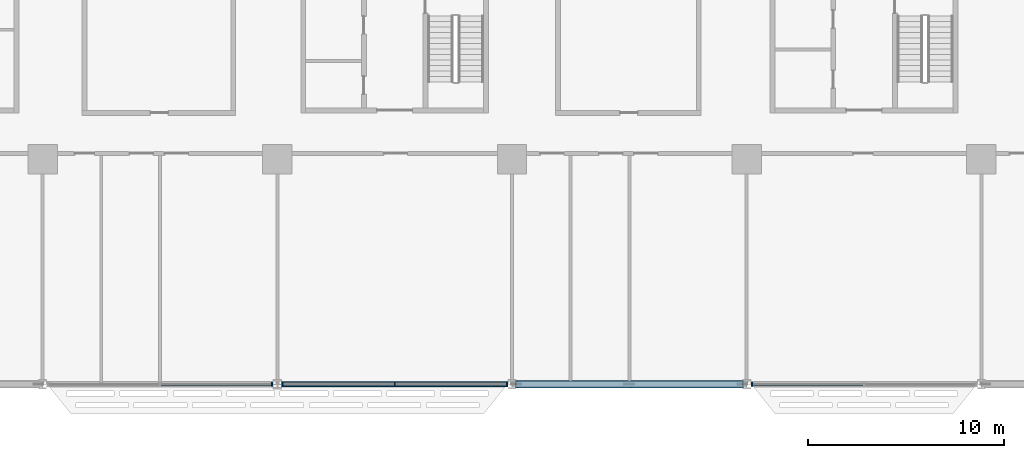
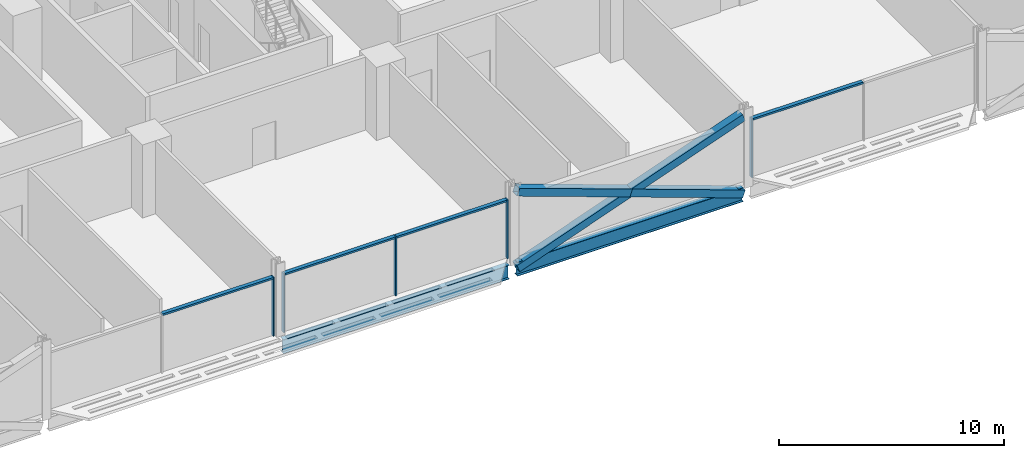
# One storey, part 5 of 29: 12 members, 2 beams, 3 elements without a shape of their own.
"""IFC4 building model written with IfcOpenShell, lengths in metres."""

from ifc_helpers import new_model, si_unit, direction, frame, origin, origin_2d, place, context, subcontext, project, spatial, rectangle, hollow_rectangle, i_section, extrude, material, material_profile, profile_set, type_object, element, aggregate, save


model = new_model("IFC4")

# Units and contexts
model_context = context("Model", 3, precision=1e-05, world=origin(), true_north=direction((0.0, 1.0)))
body_context = subcontext(model_context, "Body", "Model", "MODEL_VIEW")
ifc_project = project(units=[si_unit("LENGTHUNIT", "METRE"), si_unit("AREAUNIT", "SQUARE_METRE"), si_unit("VOLUMEUNIT", "CUBIC_METRE"), si_unit("PLANEANGLEUNIT", "RADIAN"), si_unit("MASSUNIT", "GRAM", prefix="KILO")], contexts=[model_context])

# Site, building, storey
site_placement = place(None, origin())
site = spatial("IfcSite", under=ifc_project, at=site_placement, CompositionType="ELEMENT")
building_placement = place(site_placement, origin())
building = spatial("IfcBuilding", under=site, at=building_placement, Name="Mahtab Terrace Research Tower", CompositionType="ELEMENT")
storey_placement = place(building_placement, frame((0.0, 0.0, 67.5)))
storey = spatial("IfcBuildingStorey", under=building, at=storey_placement, Name="L15", CompositionType="ELEMENT", Elevation=67.5)

# Members
ifc_material_1 = material(Name="Steel ASTM A500 Gr C", Category="steel")
ifc_material_profile_1 = material_profile(ifc_material_1, hollow_rectangle(XDim=0.406494140625, YDim=0.406494140625, WallThickness=0.01904296875, at=origin_2d()), Name="HSS16X16X3/4")
ifc_profile_set_1 = profile_set([ifc_material_profile_1], Name="Steel ASTM A500 Gr C")
member_type_1 = type_object("IfcMemberType", Name="HSS 16x16x3/4 brace XB161634", PredefinedType="BRACE", material=ifc_profile_set_1)
member_1_placement = place(storey_placement, frame((6.212158203125, -23.0, -0.642333984375), z_axis=(0.941386519928, 0.0, 0.337329838731), x_axis=(0.0, 1.0, 0.0)))
element("IfcMember", 1, at=member_1_placement, inside=storey, type_object=member_type_1, Name="Exoskeleton brace L15 17 a", PredefinedType="BRACE", context=body_context, shape_type="SweptSolid", body=[
    extrude(hollow_rectangle(XDim=0.406494140625, YDim=0.406494140625, WallThickness=0.01904296875, at=origin_2d()), origin(), (0.0, 0.0, 1.0), 12.29638671875),
])
for number, where, z_axis, x_axis, name in (
    (2, (17.787841796875, -23.0, -0.642333984375), (-0.941386519928, 0.0, 0.337329838731), (0.0, -1.0, 0.0), "Exoskeleton brace L15 17 b1"),
    (3, (12.0, -23.0, 1.431640625), (-0.941386519928, 0.0, 0.337329838731), (0.0, -1.0, 0.0), "Exoskeleton brace L15 17 b2"),
):
    element("IfcMember", number, at=place(storey_placement, frame(where, z_axis=z_axis, x_axis=x_axis)), inside=storey, type_object=member_type_1, Name=name, PredefinedType="BRACE", context=body_context, shape_type="SweptSolid", body=[
        extrude(hollow_rectangle(XDim=0.406494140625, YDim=0.406494140625, WallThickness=0.01904296875, at=origin_2d()), origin(), (0.0, 0.0, 1.0), 6.148193359375),
    ])

# Curtain wall, member
ifc_material_2 = material(Name="Laboratory ribbon curtain wall")
curtain_wall_type = type_object("IfcCurtainWallType", Name="Laboratory ribbon curtain wall", PredefinedType="NOTDEFINED", material=ifc_material_2)
curtain_wall_1_placement = place(storey_placement, origin())
curtain_wall_1 = element("IfcCurtainWall", 4, at=curtain_wall_1_placement, inside=storey, type_object=curtain_wall_type, Name="EN.L15.13.25", PredefinedType="NOTDEFINED")
ifc_material_3 = material(Name="Natural anodised aluminium", Category="aluminium")
ifc_material_profile_2 = material_profile(ifc_material_3, rectangle(XDim=0.199951171875, YDim=0.06494140625, at=origin_2d()), Name="MULLION 65x200")
ifc_profile_set_2 = profile_set([ifc_material_profile_2], Name="Natural anodised aluminium")
member_type_2 = type_object("IfcMemberType", Name="Laboratory ribbon curtain wall mullion", PredefinedType="MULLION", material=ifc_profile_set_2)
member_2_placement = place(storey_placement, frame((-6.2705078125, -23.0, 0.0), z_axis=(0.0, 0.0, 1.0), x_axis=(0.0, 1.0, 0.0)))
member_2 = element("IfcMember", 5, at=member_2_placement, type_object=member_type_2, Name="CWL-2 mullion 3", PredefinedType="MULLION", context=body_context, shape_type="SweptSolid", body=[
    extrude(rectangle(XDim=0.199951171875, YDim=0.06494140625, at=origin_2d()), origin(), (0.0, 0.0, 1.0), 3.203125),
])

# Curtain wall, members
curtain_wall_2_placement = place(storey_placement, origin())
curtain_wall_2 = element("IfcCurtainWall", 6, at=curtain_wall_2_placement, inside=storey, type_object=curtain_wall_type, Name="EN.L15.13.26", PredefinedType="NOTDEFINED")
member_3_placement = place(storey_placement, frame((-5.7294921875, -23.0, 0.0), z_axis=(0.0, 0.0, 1.0), x_axis=(0.0, 1.0, 0.0)))
member_3 = element("IfcMember", 7, at=member_3_placement, type_object=member_type_2, Name="CWL-2 mullion 1", PredefinedType="MULLION", context=body_context, shape_type="SweptSolid", body=[
    extrude(rectangle(XDim=0.199951171875, YDim=0.06494140625, at=origin_2d()), origin(), (0.0, 0.0, 1.0), 3.203125),
])
member_4_placement = place(storey_placement, frame((0.0, -23.0, 0.0), z_axis=(0.0, 0.0, 1.0), x_axis=(0.0, 1.0, 0.0)))
member_4 = element("IfcMember", 8, at=member_4_placement, type_object=member_type_2, Name="CWL-2 mullion 2", PredefinedType="MULLION", context=body_context, shape_type="SweptSolid", body=[
    extrude(rectangle(XDim=0.199951171875, YDim=0.06494140625, at=origin_2d()), origin(), (0.0, 0.0, 1.0), 3.203125),
])
member_5_placement = place(storey_placement, frame((5.7294921875, -23.0, 0.0), z_axis=(0.0, 0.0, 1.0), x_axis=(0.0, 1.0, 0.0)))
member_5 = element("IfcMember", 9, at=member_5_placement, type_object=member_type_2, Name="CWL-2 mullion 3", PredefinedType="MULLION", context=body_context, shape_type="SweptSolid", body=[
    extrude(rectangle(XDim=0.199951171875, YDim=0.06494140625, at=origin_2d()), origin(), (0.0, 0.0, 1.0), 3.203125),
])

# Curtain wall, member
curtain_wall_3_placement = place(storey_placement, origin())
curtain_wall_3 = element("IfcCurtainWall", 10, at=curtain_wall_3_placement, inside=storey, type_object=curtain_wall_type, Name="EN.L15.13.28", PredefinedType="NOTDEFINED")
member_6_placement = place(storey_placement, frame((18.2705078125, -23.0, 0.0), z_axis=(0.0, 0.0, 1.0), x_axis=(0.0, 1.0, 0.0)))
member_6 = element("IfcMember", 11, at=member_6_placement, type_object=member_type_2, Name="CWL-2 mullion 1", PredefinedType="MULLION", context=body_context, shape_type="SweptSolid", body=[
    extrude(rectangle(XDim=0.199951171875, YDim=0.06494140625, at=origin_2d()), origin(), (0.0, 0.0, 1.0), 3.203125),
])

# Member
ifc_material_profile_3 = material_profile(ifc_material_3, rectangle(XDim=0.199951171875, YDim=0.10009765625, at=origin_2d()), Name="TRANSOM 100x200")
ifc_profile_set_3 = profile_set([ifc_material_profile_3], Name="Natural anodised aluminium")
member_type_3 = type_object("IfcMemberType", Name="Laboratory ribbon curtain wall transom", PredefinedType="USERDEFINED", material=ifc_profile_set_3)
member_7_placement = place(storey_placement, frame((-11.967529296875, -23.0, 3.153076171875), z_axis=(1.0, 0.0, 0.0), x_axis=(0.0, 1.0, 0.0)))
member_7 = element("IfcMember", 12, at=member_7_placement, type_object=member_type_3, Name="CWL-2 transom 2", ObjectType="TRANSOM", PredefinedType="USERDEFINED", context=body_context, shape_type="SweptSolid", body=[
    extrude(rectangle(XDim=0.199951171875, YDim=0.10009765625, at=origin_2d()), origin(), (0.0, 0.0, 1.0), 5.66455078125),
])

aggregate(curtain_wall_1, [member_2, member_7])

member_8_placement = place(storey_placement, frame((-5.697021484375, -23.0, 3.153076171875), z_axis=(1.0, 0.0, 0.0), x_axis=(0.0, 1.0, 0.0)))
member_8 = element("IfcMember", 13, at=member_8_placement, type_object=member_type_3, Name="CWL-2 transom 1", ObjectType="TRANSOM", PredefinedType="USERDEFINED", context=body_context, shape_type="SweptSolid", body=[
    extrude(rectangle(XDim=0.199951171875, YDim=0.10009765625, at=origin_2d()), origin(), (0.0, 0.0, 1.0), 5.66455078125),
])

member_9_placement = place(storey_placement, frame((0.032470703125, -23.0, 3.153076171875), z_axis=(1.0, 0.0, 0.0), x_axis=(0.0, 1.0, 0.0)))
member_9 = element("IfcMember", 14, at=member_9_placement, type_object=member_type_3, Name="CWL-2 transom 2", ObjectType="TRANSOM", PredefinedType="USERDEFINED", context=body_context, shape_type="SweptSolid", body=[
    extrude(rectangle(XDim=0.199951171875, YDim=0.10009765625, at=origin_2d()), origin(), (0.0, 0.0, 1.0), 5.66455078125),
])

aggregate(curtain_wall_2, [member_3, member_4, member_5, member_8, member_9])

member_10_placement = place(storey_placement, frame((18.302978515625, -23.0, 3.153076171875), z_axis=(1.0, 0.0, 0.0), x_axis=(0.0, 1.0, 0.0)))
member_10 = element("IfcMember", 15, at=member_10_placement, type_object=member_type_3, Name="CWL-2 transom 1", ObjectType="TRANSOM", PredefinedType="USERDEFINED", context=body_context, shape_type="SweptSolid", body=[
    extrude(rectangle(XDim=0.199951171875, YDim=0.10009765625, at=origin_2d()), origin(), (0.0, 0.0, 1.0), 5.66455078125),
])

aggregate(curtain_wall_3, [member_6, member_10])

# Beams
ifc_material_4 = material(Name="Steel ASTM A992 Gr 50", Category="steel")
ifc_material_profile_4 = material_profile(ifc_material_4, i_section(OverallWidth=0.2666015625, OverallDepth=0.7568359375, WebThickness=0.013916015625, FlangeThickness=0.019287109375, at=origin_2d()), Name="W30X108")
ifc_profile_set_4 = profile_set([ifc_material_profile_4], Name="Steel ASTM A992 Gr 50")
beam_type = type_object("IfcBeamType", Name="W30x108 beam BS30108", PredefinedType="BEAM", material=ifc_profile_set_4)
for number, where, z_axis, x_axis, name in (
    (16, (-5.787841796875, -23.0, -0.718505859375), (1.0, 0.0, 0.0), (0.0, 1.0, 0.0), "Spandrel beam L15 16"),
    (17, (6.212158203125, -23.0, -0.718505859375), (1.0, 0.0, 0.0), (0.0, 1.0, 0.0), "Spandrel beam L15 17"),
):
    element("IfcBeam", number, at=place(storey_placement, frame(where, z_axis=z_axis, x_axis=x_axis)), inside=storey, type_object=beam_type, Name=name, PredefinedType="BEAM", context=body_context, shape_type="SweptSolid", body=[
        extrude(i_section(OverallWidth=0.2666015625, OverallDepth=0.7568359375, WebThickness=0.013916015625, FlangeThickness=0.019287109375, at=origin_2d()), origin(), (0.0, 0.0, 1.0), 11.57568359375),
    ])

save(model, "model.ifc")
